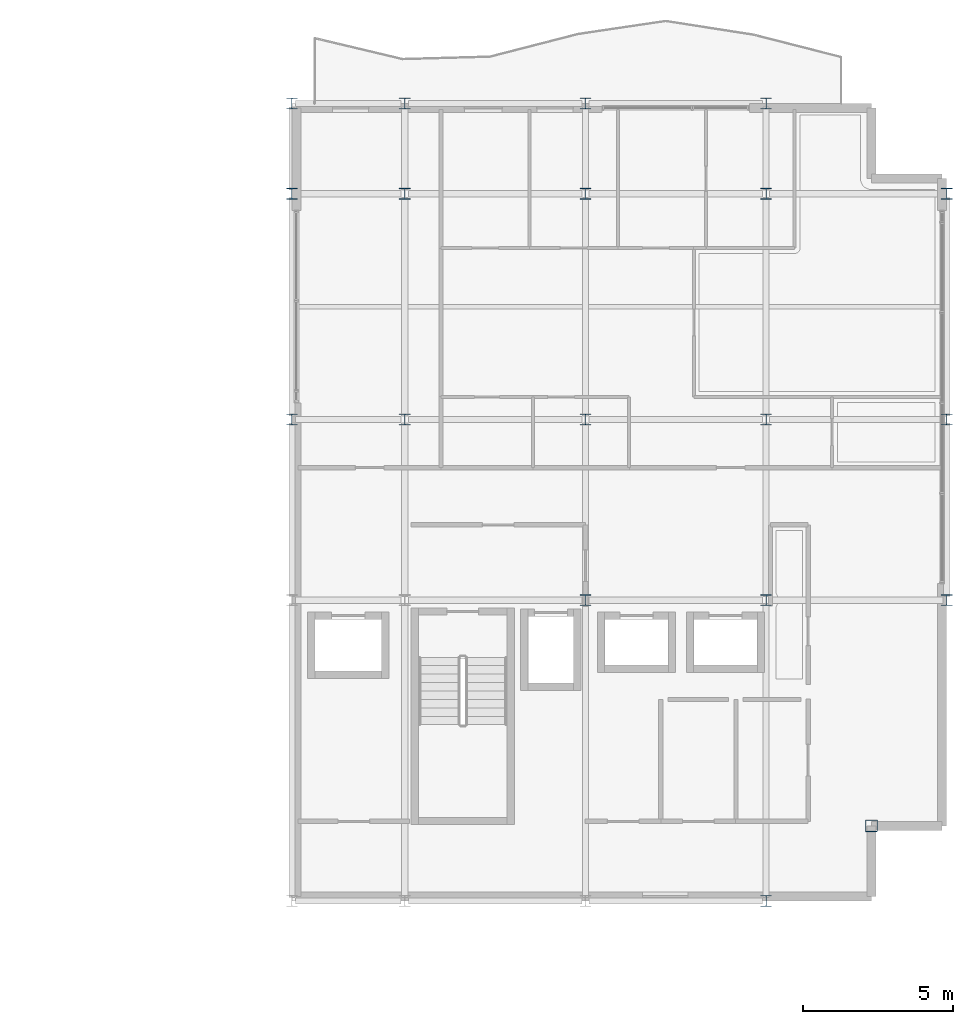
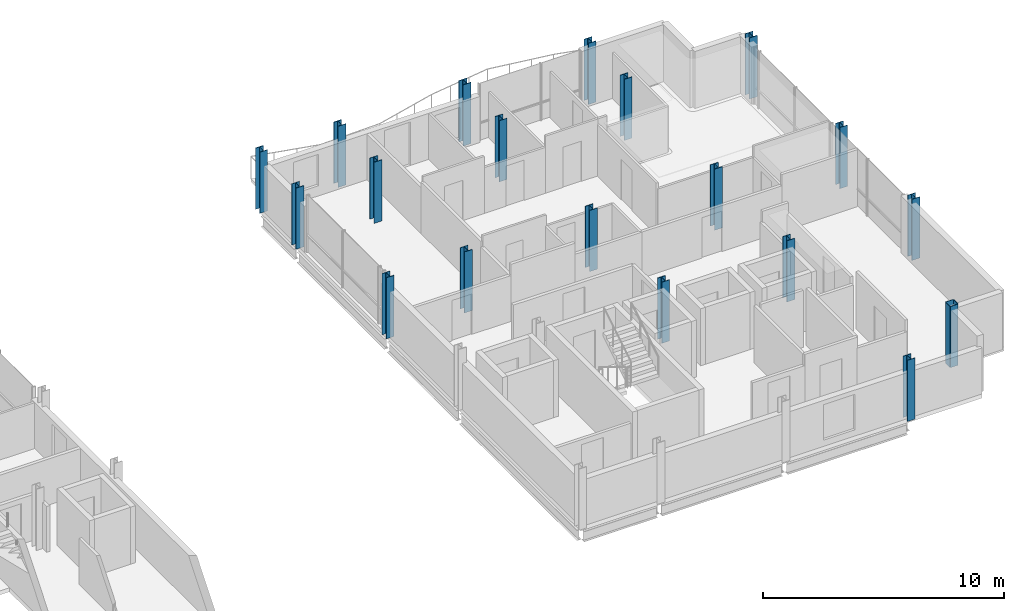
# One storey, part 2 of 29: 19 columns.
"""IFC4 building model written with IfcOpenShell, lengths in metres."""

from ifc_helpers import new_model, si_unit, direction, frame, origin, origin_2d, place, context, subcontext, project, spatial, hollow_rectangle, i_section, extrude, material, material_profile, profile_set, type_object, element, save


model = new_model("IFC4")

# Units and contexts
model_context = context("Model", 3, precision=1e-05, world=origin(), true_north=direction((0.0, 1.0)))
body_context = subcontext(model_context, "Body", "Model", "MODEL_VIEW")
ifc_project = project(units=[si_unit("LENGTHUNIT", "METRE"), si_unit("AREAUNIT", "SQUARE_METRE"), si_unit("VOLUMEUNIT", "CUBIC_METRE"), si_unit("PLANEANGLEUNIT", "RADIAN"), si_unit("MASSUNIT", "GRAM", prefix="KILO")], contexts=[model_context])

# Site, building, storey
site_placement = place(None, origin())
site = spatial("IfcSite", under=ifc_project, at=site_placement, CompositionType="ELEMENT")
building_placement = place(site_placement, origin())
building = spatial("IfcBuilding", under=site, at=building_placement, Name="Brevholm Reach", CompositionType="ELEMENT")
storey_placement = place(building_placement, frame((0.0, 0.0, 208.0)))
storey = spatial("IfcBuildingStorey", under=building, at=storey_placement, Name="L63", CompositionType="ELEMENT", Elevation=208.0)

# Columns
ifc_material_1 = material(Name="Structural Steel S460NH", Category="steel")
ifc_material_profile_1 = material_profile(ifc_material_1, hollow_rectangle(XDim=0.39990234375, YDim=0.39990234375, WallThickness=0.02001953125, InnerFilletRadius=0.011962890625, OuterFilletRadius=0.02392578125, at=origin_2d()), Name="SHS 400x400x20")
ifc_profile_set_1 = profile_set([ifc_material_profile_1], Name="Structural Steel S460NH")
column_type_1 = type_object("IfcColumnType", Name="COL-SHS2", PredefinedType="COLUMN", material=ifc_profile_set_1)
column_placement = place(storey_placement, frame((57.5, 2.5, 0.0), z_axis=(0.0, 0.0, 1.0), x_axis=(1.0, 0.0, 0.0)))
element("IfcColumn", 1, at=column_placement, inside=storey, type_object=column_type_1, Name="L63 Column 45", PredefinedType="COLUMN", context=body_context, shape_type="SweptSolid", body=[
    extrude(hollow_rectangle(XDim=0.39990234375, YDim=0.39990234375, WallThickness=0.02001953125, InnerFilletRadius=0.011962890625, OuterFilletRadius=0.02392578125, at=origin_2d()), origin(), (0.0, 0.0, 1.0), 3.10009765625),
])
ifc_material_2 = material(Name="Structural Steel S355J2", Category="steel")
ifc_material_profile_2 = material_profile(ifc_material_2, i_section(OverallWidth=0.374755859375, OverallDepth=0.37451171875, WebThickness=0.0166015625, FlangeThickness=0.027099609375, FilletRadius=0.01513671875, at=origin_2d()), Name="UKC 356x368x202")
ifc_profile_set_2 = profile_set([ifc_material_profile_2], Name="Structural Steel S355J2")
column_type_2 = type_object("IfcColumnType", Name="COL-UC6", PredefinedType="COLUMN", material=ifc_profile_set_2)
for number, where, z_axis, x_axis, name in (
    (2, (38.25, 16.0, 0.0), (0.0, 0.0, 1.0), (1.0, 0.0, 0.0), "L63 Column 27"),
    (3, (38.25, 23.5, 0.0), (0.0, 0.0, 1.0), (1.0, 0.0, 0.0), "L63 Column 28"),
    (4, (38.25, 26.5, 0.0), (0.0, 0.0, 1.0), (1.0, 0.0, 0.0), "L63 Column 29"),
    (5, (42.0, 16.0, 0.0), (0.0, 0.0, 1.0), (1.0, 0.0, 0.0), "L63 Column 32"),
    (6, (42.0, 23.5, 0.0), (0.0, 0.0, 1.0), (1.0, 0.0, 0.0), "L63 Column 33"),
    (7, (42.0, 26.5, 0.0), (0.0, 0.0, 1.0), (1.0, 0.0, 0.0), "L63 Column 34"),
    (8, (48.0, 10.0, 0.0), (0.0, 0.0, 1.0), (1.0, 0.0, 0.0), "L63 Column 36"),
    (9, (48.0, 16.0, 0.0), (0.0, 0.0, 1.0), (1.0, 0.0, 0.0), "L63 Column 37"),
    (10, (48.0, 23.5, 0.0), (0.0, 0.0, 1.0), (1.0, 0.0, 0.0), "L63 Column 38"),
    (11, (48.0, 26.5, 0.0), (0.0, 0.0, 1.0), (1.0, 0.0, 0.0), "L63 Column 39"),
    (12, (54.0, 0.0, 0.0), (0.0, 0.0, 1.0), (1.0, 0.0, 0.0), "L63 Column 40"),
    (13, (54.0, 10.0, 0.0), (0.0, 0.0, 1.0), (1.0, 0.0, 0.0), "L63 Column 41"),
    (14, (54.0, 16.0, 0.0), (0.0, 0.0, 1.0), (1.0, 0.0, 0.0), "L63 Column 42"),
    (15, (54.0, 23.5, 0.0), (0.0, 0.0, 1.0), (1.0, 0.0, 0.0), "L63 Column 43"),
    (16, (54.0, 26.5, 0.0), (0.0, 0.0, 1.0), (1.0, 0.0, 0.0), "L63 Column 44"),
    (17, (60.0, 10.0, 0.0), (0.0, 0.0, 1.0), (1.0, 0.0, 0.0), "L63 Column 46"),
    (18, (60.0, 16.0, 0.0), (0.0, 0.0, 1.0), (1.0, 0.0, 0.0), "L63 Column 47"),
    (19, (60.0, 23.5, 0.0), (0.0, 0.0, 1.0), (1.0, 0.0, 0.0), "L63 Column 48"),
):
    element("IfcColumn", number, at=place(storey_placement, frame(where, z_axis=z_axis, x_axis=x_axis)), inside=storey, type_object=column_type_2, Name=name, PredefinedType="COLUMN", context=body_context, shape_type="SweptSolid", body=[
        extrude(i_section(OverallWidth=0.374755859375, OverallDepth=0.37451171875, WebThickness=0.0166015625, FlangeThickness=0.027099609375, FilletRadius=0.01513671875, at=origin_2d()), origin(), (0.0, 0.0, 1.0), 3.10009765625),
    ])

save(model, "model.ifc")
